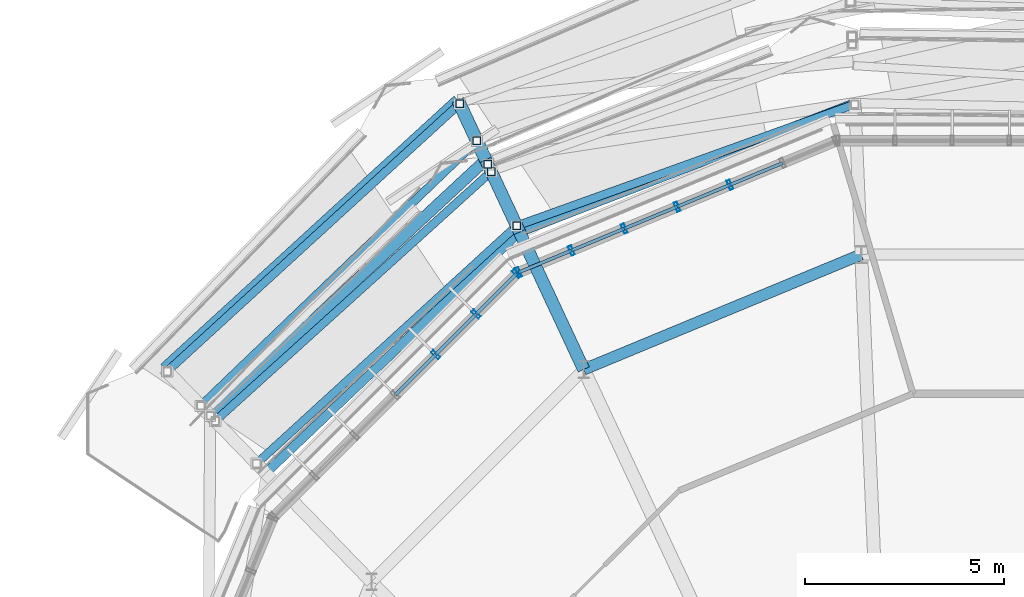
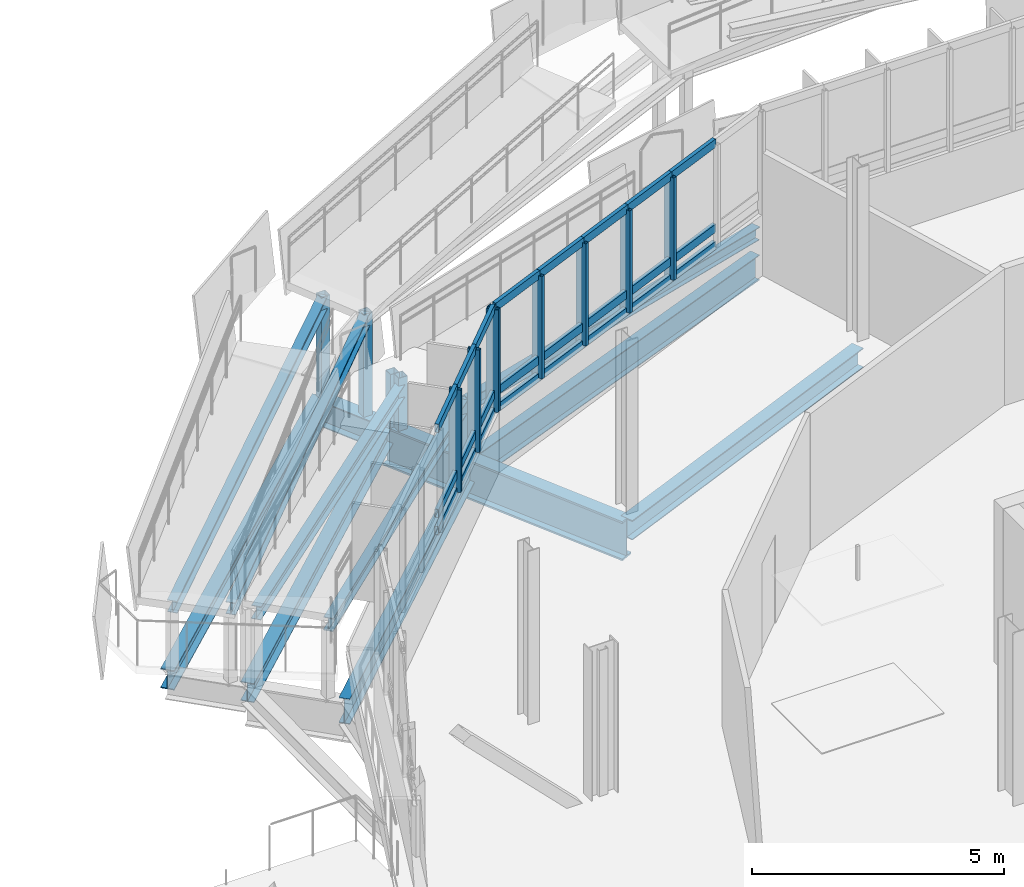
# One storey, part 45 of 107: 37 members, 13 beams, 2 elements without a shape of their own.
"""IFC4 building model written with IfcOpenShell, lengths in metres."""

from ifc_helpers import new_model, si_unit, derived_unit, direction, frame, origin, origin_2d, place, context, subcontext, project, spatial, hollow_rectangle, i_section, extrude, material, layer, layer_set, material_profile, profile_set, type_object, element, aggregate, save


model = new_model("IFC4")

# Units and contexts
model_context = context("Model", 3, precision=1e-05, world=origin(), true_north=direction((0.0, 1.0)))
body_context = subcontext(model_context, "Body", "Model", "MODEL_VIEW")
ifc_project = project(units=[si_unit("LENGTHUNIT", "METRE"), si_unit("AREAUNIT", "SQUARE_METRE"), si_unit("VOLUMEUNIT", "CUBIC_METRE"), si_unit("PLANEANGLEUNIT", "RADIAN"), si_unit("MASSUNIT", "GRAM", prefix="KILO"), derived_unit("THERMALTRANSMITTANCEUNIT", [(si_unit("MASSUNIT", "GRAM", prefix="KILO"), 1), (si_unit("TIMEUNIT", "SECOND"), -3), (si_unit("THERMODYNAMICTEMPERATUREUNIT", "KELVIN"), -1)])], contexts=[model_context])

# Site, building, storey
site_placement = place(None, origin())
site = spatial("IfcSite", under=ifc_project, at=site_placement, CompositionType="ELEMENT")
building_placement = place(site_placement, origin())
building = spatial("IfcBuilding", under=site, at=building_placement, Name="Makaiwela Harbour Ferry Terminal", CompositionType="ELEMENT")
storey_placement = place(building_placement, frame((0.0, 0.0, 9.60009765625)))
storey = spatial("IfcBuildingStorey", under=building, at=storey_placement, Name="L02", CompositionType="ELEMENT", Elevation=9.60009765625)

# Curtain wall, members
ifc_material_1 = material(Name="Marine anodised aluminium 6063-T6", Category="aluminium")
ifc_layer = layer(ifc_material_1, 0.199951171875)
ifc_layer_set = layer_set([ifc_layer], Name="Marine anodised aluminium 6063-T6")
curtain_wall_type = type_object("IfcCurtainWallType", Name="ENV-CW-04", PredefinedType="USERDEFINED", material=ifc_layer_set)
curtain_wall_1_placement = place(storey_placement, origin())
curtain_wall_1 = element("IfcCurtainWall", 1, at=curtain_wall_1_placement, inside=storey, type_object=curtain_wall_type, Name="Unitised Curtain Wall CWA-022", ObjectType="UNITIZED CURTAIN WALL", PredefinedType="USERDEFINED")
ifc_material_profile_1 = material_profile(ifc_material_1, hollow_rectangle(XDim=0.0849609375, YDim=0.25, WallThickness=0.0048828125, at=origin_2d()), Name="CWM-250X85")
ifc_profile_set_1 = profile_set([ifc_material_profile_1], Name="Marine anodised aluminium 6063-T6")
member_type_1 = type_object("IfcMemberType", Name="CW-MUL-250", PredefinedType="MULLION", material=ifc_profile_set_1)
member_1_placement = place(storey_placement, frame((30.042236328125, 88.774658203125, 1.47998046875), z_axis=(0.0, 0.0, 1.0), x_axis=(0.923879532511, 0.382683432365, 0.0)))
member_1 = element("IfcMember", 2, at=member_1_placement, type_object=member_type_1, Name="Curtain Wall Mullion CWA-022-3", PredefinedType="MULLION", context=body_context, shape_type="SweptSolid", body=[
    extrude(hollow_rectangle(XDim=0.0849609375, YDim=0.25, WallThickness=0.0048828125, at=origin_2d()), origin(), (0.0, 0.0, 1.0), 2.47998046875),
])
member_2_placement = place(storey_placement, frame((28.717529296875, 88.22607421875, 1.47998046875), z_axis=(0.0, 0.0, 1.0), x_axis=(0.923879532511, 0.382683432365, 0.0)))
member_2 = element("IfcMember", 3, at=member_2_placement, type_object=member_type_1, Name="Curtain Wall Mullion CWA-022-4", PredefinedType="MULLION", context=body_context, shape_type="SweptSolid", body=[
    extrude(hollow_rectangle(XDim=0.0849609375, YDim=0.25, WallThickness=0.0048828125, at=origin_2d()), origin(), (0.0, 0.0, 1.0), 2.47998046875),
])
member_3_placement = place(storey_placement, frame((27.39306640625, 87.677490234375, 1.47998046875), z_axis=(0.0, 0.0, 1.0), x_axis=(0.923879532511, 0.382683432365, 0.0)))
member_3 = element("IfcMember", 4, at=member_3_placement, type_object=member_type_1, Name="Curtain Wall Mullion CWA-022-5", PredefinedType="MULLION", context=body_context, shape_type="SweptSolid", body=[
    extrude(hollow_rectangle(XDim=0.0849609375, YDim=0.25, WallThickness=0.0048828125, at=origin_2d()), origin(), (0.0, 0.0, 1.0), 2.47998046875),
])
member_4_placement = place(storey_placement, frame((26.068603515625, 87.128662109375, 1.47998046875), z_axis=(0.0, 0.0, 1.0), x_axis=(0.923879532511, 0.382683432365, 0.0)))
member_4 = element("IfcMember", 5, at=member_4_placement, type_object=member_type_1, Name="Curtain Wall Mullion CWA-022-6", PredefinedType="MULLION", context=body_context, shape_type="SweptSolid", body=[
    extrude(hollow_rectangle(XDim=0.0849609375, YDim=0.25, WallThickness=0.0048828125, at=origin_2d()), origin(), (0.0, 0.0, 1.0), 2.47998046875),
])
member_5_placement = place(storey_placement, frame((24.743896484375, 86.580078125, 1.47998046875), z_axis=(0.0, 0.0, 1.0), x_axis=(0.923879532511, 0.382683432365, 0.0)))
member_5 = element("IfcMember", 6, at=member_5_placement, type_object=member_type_1, Name="Curtain Wall Mullion CWA-022-7", PredefinedType="MULLION", context=body_context, shape_type="SweptSolid", body=[
    extrude(hollow_rectangle(XDim=0.0849609375, YDim=0.25, WallThickness=0.0048828125, at=origin_2d()), origin(), (0.0, 0.0, 1.0), 2.47998046875),
])

curtain_wall_2_placement = place(storey_placement, origin())
curtain_wall_2 = element("IfcCurtainWall", 7, at=curtain_wall_2_placement, inside=storey, type_object=curtain_wall_type, Name="Unitised Curtain Wall CWA-023", ObjectType="UNITIZED CURTAIN WALL", PredefinedType="USERDEFINED")
member_6_placement = place(storey_placement, frame((24.695068359375, 86.54736328125, 1.47998046875), z_axis=(0.0, 0.0, 1.0), x_axis=(0.707106781187, 0.707106781187, 0.0)))
member_6 = element("IfcMember", 8, at=member_6_placement, type_object=member_type_1, Name="Curtain Wall Mullion CWA-023-1", PredefinedType="MULLION", context=body_context, shape_type="SweptSolid", body=[
    extrude(hollow_rectangle(XDim=0.0849609375, YDim=0.25, WallThickness=0.0048828125, at=origin_2d()), origin(), (0.0, 0.0, 1.0), 2.47998046875),
])
member_7_placement = place(storey_placement, frame((23.681396484375, 85.53369140625, 1.47998046875), z_axis=(0.0, 0.0, 1.0), x_axis=(0.707106781187, 0.707106781187, 0.0)))
member_7 = element("IfcMember", 9, at=member_7_placement, type_object=member_type_1, Name="Curtain Wall Mullion CWA-023-2", PredefinedType="MULLION", context=body_context, shape_type="SweptSolid", body=[
    extrude(hollow_rectangle(XDim=0.0849609375, YDim=0.25, WallThickness=0.0048828125, at=origin_2d()), origin(), (0.0, 0.0, 1.0), 2.47998046875),
])
member_8_placement = place(storey_placement, frame((22.66748046875, 84.52001953125, 1.47998046875), z_axis=(0.0, 0.0, 1.0), x_axis=(0.707106781187, 0.707106781187, 0.0)))
member_8 = element("IfcMember", 10, at=member_8_placement, type_object=member_type_1, Name="Curtain Wall Mullion CWA-023-3", PredefinedType="MULLION", context=body_context, shape_type="SweptSolid", body=[
    extrude(hollow_rectangle(XDim=0.0849609375, YDim=0.25, WallThickness=0.0048828125, at=origin_2d()), origin(), (0.0, 0.0, 1.0), 2.47998046875),
])

# Member
ifc_material_profile_2 = material_profile(ifc_material_1, hollow_rectangle(XDim=0.0849609375, YDim=0.199951171875, WallThickness=0.0048828125, at=origin_2d()), Name="CWT-200X85")
ifc_profile_set_2 = profile_set([ifc_material_profile_2], Name="Marine anodised aluminium 6063-T6")
member_type_2 = type_object("IfcMemberType", Name="CW-TRN-200", PredefinedType="USERDEFINED", material=ifc_profile_set_2)
member_9_placement = place(storey_placement, frame((31.36669921875, 89.3232421875, 1.47998046875), z_axis=(-0.923886069806, -0.382667649558, 0.0), x_axis=(0.382667649558, -0.923886069806, 0.0)))
member_9 = element("IfcMember", 11, at=member_9_placement, type_object=member_type_2, Name="Curtain Wall Transom CWA-022-2-1", ObjectType="TRANSOM", PredefinedType="USERDEFINED", context=body_context, shape_type="SweptSolid", body=[
    extrude(hollow_rectangle(XDim=0.0849609375, YDim=0.199951171875, WallThickness=0.0048828125, at=origin_2d()), origin(), (0.0, 0.0, 1.0), 1.43359375),
])

member_10_placement = place(storey_placement, frame((31.36669921875, 89.3232421875, 1.89990234375), z_axis=(-0.923886069806, -0.382667649558, 0.0), x_axis=(0.382667649558, -0.923886069806, 0.0)))
member_10 = element("IfcMember", 12, at=member_10_placement, type_object=member_type_2, Name="Curtain Wall Transom CWA-022-2-2", ObjectType="TRANSOM", PredefinedType="USERDEFINED", context=body_context, shape_type="SweptSolid", body=[
    extrude(hollow_rectangle(XDim=0.0849609375, YDim=0.199951171875, WallThickness=0.0048828125, at=origin_2d()), origin(), (0.0, 0.0, 1.0), 1.43359375),
])

member_11_placement = place(storey_placement, frame((31.36669921875, 89.3232421875, 3.9599609375), z_axis=(-0.923886069806, -0.382667649558, 0.0), x_axis=(0.382667649558, -0.923886069806, 0.0)))
member_11 = element("IfcMember", 13, at=member_11_placement, type_object=member_type_2, Name="Curtain Wall Transom CWA-022-2-3", ObjectType="TRANSOM", PredefinedType="USERDEFINED", context=body_context, shape_type="SweptSolid", body=[
    extrude(hollow_rectangle(XDim=0.0849609375, YDim=0.199951171875, WallThickness=0.0048828125, at=origin_2d()), origin(), (0.0, 0.0, 1.0), 1.43359375),
])

member_12_placement = place(storey_placement, frame((30.042236328125, 88.774658203125, 1.47998046875), z_axis=(-0.923911001953, -0.382607449574, 0.0), x_axis=(0.382607449574, -0.923911001953, 0.0)))
member_12 = element("IfcMember", 14, at=member_12_placement, type_object=member_type_2, Name="Curtain Wall Transom CWA-022-3-1", ObjectType="TRANSOM", PredefinedType="USERDEFINED", context=body_context, shape_type="SweptSolid", body=[
    extrude(hollow_rectangle(XDim=0.0849609375, YDim=0.199951171875, WallThickness=0.0048828125, at=origin_2d()), origin(), (0.0, 0.0, 1.0), 1.433837890625),
])

member_13_placement = place(storey_placement, frame((30.042236328125, 88.774658203125, 1.89990234375), z_axis=(-0.923911001953, -0.382607449574, 0.0), x_axis=(0.382607449574, -0.923911001953, 0.0)))
member_13 = element("IfcMember", 15, at=member_13_placement, type_object=member_type_2, Name="Curtain Wall Transom CWA-022-3-2", ObjectType="TRANSOM", PredefinedType="USERDEFINED", context=body_context, shape_type="SweptSolid", body=[
    extrude(hollow_rectangle(XDim=0.0849609375, YDim=0.199951171875, WallThickness=0.0048828125, at=origin_2d()), origin(), (0.0, 0.0, 1.0), 1.433837890625),
])

member_14_placement = place(storey_placement, frame((30.042236328125, 88.774658203125, 3.9599609375), z_axis=(-0.923911001953, -0.382607449574, 0.0), x_axis=(0.382607449574, -0.923911001953, 0.0)))
member_14 = element("IfcMember", 16, at=member_14_placement, type_object=member_type_2, Name="Curtain Wall Transom CWA-022-3-3", ObjectType="TRANSOM", PredefinedType="USERDEFINED", context=body_context, shape_type="SweptSolid", body=[
    extrude(hollow_rectangle(XDim=0.0849609375, YDim=0.199951171875, WallThickness=0.0048828125, at=origin_2d()), origin(), (0.0, 0.0, 1.0), 1.433837890625),
])

member_15_placement = place(storey_placement, frame((28.717529296875, 88.22607421875, 1.47998046875), z_axis=(-0.923886069806, -0.382667649558, 0.0), x_axis=(0.382667649558, -0.923886069806, 0.0)))
member_15 = element("IfcMember", 17, at=member_15_placement, type_object=member_type_2, Name="Curtain Wall Transom CWA-022-4-1", ObjectType="TRANSOM", PredefinedType="USERDEFINED", context=body_context, shape_type="SweptSolid", body=[
    extrude(hollow_rectangle(XDim=0.0849609375, YDim=0.199951171875, WallThickness=0.0048828125, at=origin_2d()), origin(), (0.0, 0.0, 1.0), 1.43359375),
])

member_16_placement = place(storey_placement, frame((28.717529296875, 88.22607421875, 1.89990234375), z_axis=(-0.923886069806, -0.382667649558, 0.0), x_axis=(0.382667649558, -0.923886069806, 0.0)))
member_16 = element("IfcMember", 18, at=member_16_placement, type_object=member_type_2, Name="Curtain Wall Transom CWA-022-4-2", ObjectType="TRANSOM", PredefinedType="USERDEFINED", context=body_context, shape_type="SweptSolid", body=[
    extrude(hollow_rectangle(XDim=0.0849609375, YDim=0.199951171875, WallThickness=0.0048828125, at=origin_2d()), origin(), (0.0, 0.0, 1.0), 1.43359375),
])

member_17_placement = place(storey_placement, frame((28.717529296875, 88.22607421875, 3.9599609375), z_axis=(-0.923886069806, -0.382667649558, 0.0), x_axis=(0.382667649558, -0.923886069806, 0.0)))
member_17 = element("IfcMember", 19, at=member_17_placement, type_object=member_type_2, Name="Curtain Wall Transom CWA-022-4-3", ObjectType="TRANSOM", PredefinedType="USERDEFINED", context=body_context, shape_type="SweptSolid", body=[
    extrude(hollow_rectangle(XDim=0.0849609375, YDim=0.199951171875, WallThickness=0.0048828125, at=origin_2d()), origin(), (0.0, 0.0, 1.0), 1.43359375),
])

member_18_placement = place(storey_placement, frame((27.39306640625, 87.677490234375, 1.47998046875), z_axis=(-0.923825853652, -0.382812998896, 0.0), x_axis=(0.382812998896, -0.923825853652, 0.0)))
member_18 = element("IfcMember", 20, at=member_18_placement, type_object=member_type_2, Name="Curtain Wall Transom CWA-022-5-1", ObjectType="TRANSOM", PredefinedType="USERDEFINED", context=body_context, shape_type="SweptSolid", body=[
    extrude(hollow_rectangle(XDim=0.0849609375, YDim=0.199951171875, WallThickness=0.0048828125, at=origin_2d()), origin(), (0.0, 0.0, 1.0), 1.43359375),
])

member_19_placement = place(storey_placement, frame((27.39306640625, 87.677490234375, 1.89990234375), z_axis=(-0.923825853652, -0.382812998896, 0.0), x_axis=(0.382812998896, -0.923825853652, 0.0)))
member_19 = element("IfcMember", 21, at=member_19_placement, type_object=member_type_2, Name="Curtain Wall Transom CWA-022-5-2", ObjectType="TRANSOM", PredefinedType="USERDEFINED", context=body_context, shape_type="SweptSolid", body=[
    extrude(hollow_rectangle(XDim=0.0849609375, YDim=0.199951171875, WallThickness=0.0048828125, at=origin_2d()), origin(), (0.0, 0.0, 1.0), 1.43359375),
])

member_20_placement = place(storey_placement, frame((27.39306640625, 87.677490234375, 3.9599609375), z_axis=(-0.923825853652, -0.382812998896, 0.0), x_axis=(0.382812998896, -0.923825853652, 0.0)))
member_20 = element("IfcMember", 22, at=member_20_placement, type_object=member_type_2, Name="Curtain Wall Transom CWA-022-5-3", ObjectType="TRANSOM", PredefinedType="USERDEFINED", context=body_context, shape_type="SweptSolid", body=[
    extrude(hollow_rectangle(XDim=0.0849609375, YDim=0.199951171875, WallThickness=0.0048828125, at=origin_2d()), origin(), (0.0, 0.0, 1.0), 1.43359375),
])

member_21_placement = place(storey_placement, frame((26.068603515625, 87.128662109375, 1.47998046875), z_axis=(-0.923911001953, -0.382607449574, 0.0), x_axis=(0.382607449574, -0.923911001953, 0.0)))
member_21 = element("IfcMember", 23, at=member_21_placement, type_object=member_type_2, Name="Curtain Wall Transom CWA-022-6-1", ObjectType="TRANSOM", PredefinedType="USERDEFINED", context=body_context, shape_type="SweptSolid", body=[
    extrude(hollow_rectangle(XDim=0.0849609375, YDim=0.199951171875, WallThickness=0.0048828125, at=origin_2d()), origin(), (0.0, 0.0, 1.0), 1.433837890625),
])

member_22_placement = place(storey_placement, frame((26.068603515625, 87.128662109375, 1.89990234375), z_axis=(-0.923911001953, -0.382607449574, 0.0), x_axis=(0.382607449574, -0.923911001953, 0.0)))
member_22 = element("IfcMember", 24, at=member_22_placement, type_object=member_type_2, Name="Curtain Wall Transom CWA-022-6-2", ObjectType="TRANSOM", PredefinedType="USERDEFINED", context=body_context, shape_type="SweptSolid", body=[
    extrude(hollow_rectangle(XDim=0.0849609375, YDim=0.199951171875, WallThickness=0.0048828125, at=origin_2d()), origin(), (0.0, 0.0, 1.0), 1.433837890625),
])

member_23_placement = place(storey_placement, frame((26.068603515625, 87.128662109375, 3.9599609375), z_axis=(-0.923911001953, -0.382607449574, 0.0), x_axis=(0.382607449574, -0.923911001953, 0.0)))
member_23 = element("IfcMember", 25, at=member_23_placement, type_object=member_type_2, Name="Curtain Wall Transom CWA-022-6-3", ObjectType="TRANSOM", PredefinedType="USERDEFINED", context=body_context, shape_type="SweptSolid", body=[
    extrude(hollow_rectangle(XDim=0.0849609375, YDim=0.199951171875, WallThickness=0.0048828125, at=origin_2d()), origin(), (0.0, 0.0, 1.0), 1.433837890625),
])

aggregate(curtain_wall_1, [member_1, member_2, member_3, member_4, member_5, member_9, member_10, member_11, member_12, member_13, member_14, member_15, member_16, member_17, member_18, member_19, member_20, member_21, member_22, member_23])

member_24_placement = place(storey_placement, frame((24.695068359375, 86.54736328125, 1.47998046875), z_axis=(-0.707106781187, -0.707106781187, 0.0), x_axis=(0.707106781187, -0.707106781187, 0.0)))
member_24 = element("IfcMember", 26, at=member_24_placement, type_object=member_type_2, Name="Curtain Wall Transom CWA-023-1-1", ObjectType="TRANSOM", PredefinedType="USERDEFINED", context=body_context, shape_type="SweptSolid", body=[
    extrude(hollow_rectangle(XDim=0.0849609375, YDim=0.199951171875, WallThickness=0.0048828125, at=origin_2d()), origin(), (0.0, 0.0, 1.0), 1.43359375),
])

member_25_placement = place(storey_placement, frame((24.695068359375, 86.54736328125, 1.89990234375), z_axis=(-0.707106781187, -0.707106781187, 0.0), x_axis=(0.707106781187, -0.707106781187, 0.0)))
member_25 = element("IfcMember", 27, at=member_25_placement, type_object=member_type_2, Name="Curtain Wall Transom CWA-023-1-2", ObjectType="TRANSOM", PredefinedType="USERDEFINED", context=body_context, shape_type="SweptSolid", body=[
    extrude(hollow_rectangle(XDim=0.0849609375, YDim=0.199951171875, WallThickness=0.0048828125, at=origin_2d()), origin(), (0.0, 0.0, 1.0), 1.43359375),
])

member_26_placement = place(storey_placement, frame((24.695068359375, 86.54736328125, 3.9599609375), z_axis=(-0.707106781187, -0.707106781187, 0.0), x_axis=(0.707106781187, -0.707106781187, 0.0)))
member_26 = element("IfcMember", 28, at=member_26_placement, type_object=member_type_2, Name="Curtain Wall Transom CWA-023-1-3", ObjectType="TRANSOM", PredefinedType="USERDEFINED", context=body_context, shape_type="SweptSolid", body=[
    extrude(hollow_rectangle(XDim=0.0849609375, YDim=0.199951171875, WallThickness=0.0048828125, at=origin_2d()), origin(), (0.0, 0.0, 1.0), 1.43359375),
])

member_27_placement = place(storey_placement, frame((23.681396484375, 85.53369140625, 1.47998046875), z_axis=(-0.707191918358, -0.707021633764, 0.0), x_axis=(0.707021633764, -0.707191918358, 0.0)))
member_27 = element("IfcMember", 29, at=member_27_placement, type_object=member_type_2, Name="Curtain Wall Transom CWA-023-2-1", ObjectType="TRANSOM", PredefinedType="USERDEFINED", context=body_context, shape_type="SweptSolid", body=[
    extrude(hollow_rectangle(XDim=0.0849609375, YDim=0.199951171875, WallThickness=0.0048828125, at=origin_2d()), origin(), (0.0, 0.0, 1.0), 1.433837890625),
])

member_28_placement = place(storey_placement, frame((23.681396484375, 85.53369140625, 1.89990234375), z_axis=(-0.707191918358, -0.707021633764, 0.0), x_axis=(0.707021633764, -0.707191918358, 0.0)))
member_28 = element("IfcMember", 30, at=member_28_placement, type_object=member_type_2, Name="Curtain Wall Transom CWA-023-2-2", ObjectType="TRANSOM", PredefinedType="USERDEFINED", context=body_context, shape_type="SweptSolid", body=[
    extrude(hollow_rectangle(XDim=0.0849609375, YDim=0.199951171875, WallThickness=0.0048828125, at=origin_2d()), origin(), (0.0, 0.0, 1.0), 1.433837890625),
])

member_29_placement = place(storey_placement, frame((23.681396484375, 85.53369140625, 3.9599609375), z_axis=(-0.707191918358, -0.707021633764, 0.0), x_axis=(0.707021633764, -0.707191918358, 0.0)))
member_29 = element("IfcMember", 31, at=member_29_placement, type_object=member_type_2, Name="Curtain Wall Transom CWA-023-2-3", ObjectType="TRANSOM", PredefinedType="USERDEFINED", context=body_context, shape_type="SweptSolid", body=[
    extrude(hollow_rectangle(XDim=0.0849609375, YDim=0.199951171875, WallThickness=0.0048828125, at=origin_2d()), origin(), (0.0, 0.0, 1.0), 1.433837890625),
])

member_30_placement = place(storey_placement, frame((22.66748046875, 84.52001953125, 1.47998046875), z_axis=(-0.707021633764, -0.707191918358, 0.0), x_axis=(0.707191918358, -0.707021633764, 0.0)))
member_30 = element("IfcMember", 32, at=member_30_placement, type_object=member_type_2, Name="Curtain Wall Transom CWA-023-3-1", ObjectType="TRANSOM", PredefinedType="USERDEFINED", context=body_context, shape_type="SweptSolid", body=[
    extrude(hollow_rectangle(XDim=0.0849609375, YDim=0.199951171875, WallThickness=0.0048828125, at=origin_2d()), origin(), (0.0, 0.0, 1.0), 1.433837890625),
])

member_31_placement = place(storey_placement, frame((22.66748046875, 84.52001953125, 1.89990234375), z_axis=(-0.707021633764, -0.707191918358, 0.0), x_axis=(0.707191918358, -0.707021633764, 0.0)))
member_31 = element("IfcMember", 33, at=member_31_placement, type_object=member_type_2, Name="Curtain Wall Transom CWA-023-3-2", ObjectType="TRANSOM", PredefinedType="USERDEFINED", context=body_context, shape_type="SweptSolid", body=[
    extrude(hollow_rectangle(XDim=0.0849609375, YDim=0.199951171875, WallThickness=0.0048828125, at=origin_2d()), origin(), (0.0, 0.0, 1.0), 1.433837890625),
])

member_32_placement = place(storey_placement, frame((22.66748046875, 84.52001953125, 3.9599609375), z_axis=(-0.707021633764, -0.707191918358, 0.0), x_axis=(0.707191918358, -0.707021633764, 0.0)))
member_32 = element("IfcMember", 34, at=member_32_placement, type_object=member_type_2, Name="Curtain Wall Transom CWA-023-3-3", ObjectType="TRANSOM", PredefinedType="USERDEFINED", context=body_context, shape_type="SweptSolid", body=[
    extrude(hollow_rectangle(XDim=0.0849609375, YDim=0.199951171875, WallThickness=0.0048828125, at=origin_2d()), origin(), (0.0, 0.0, 1.0), 1.433837890625),
])

aggregate(curtain_wall_2, [member_6, member_7, member_8, member_24, member_25, member_26, member_27, member_28, member_29, member_30, member_31, member_32])

# Beams
ifc_material_2 = material(Name="Steel ASTM A992 Grade 50", Category="steel")
ifc_material_profile_3 = material_profile(ifc_material_2, i_section(OverallWidth=0.280029296875, OverallDepth=0.462890625, WebThickness=0.0107421875, FlangeThickness=0.017333984375, at=origin_2d()), Name="W18X76")
ifc_profile_set_3 = profile_set([ifc_material_profile_3], Name="Steel ASTM A992 Grade 50")
beam_type_1 = type_object("IfcBeamType", Name="STR-BM-W18X76", PredefinedType="BEAM", material=ifc_profile_set_3)
beam_1_placement = place(storey_placement, frame((23.92138671875, 89.40185546875, -0.49169921875), z_axis=(-0.732663441999, -0.680591125977, 0.0), x_axis=(0.680591125977, -0.732663441999, 0.0)))
element("IfcBeam", 35, at=beam_1_placement, inside=storey, type_object=beam_type_1, Name="Drum stage2 tie girder 209", PredefinedType="BEAM", context=body_context, shape_type="SweptSolid", body=[
    extrude(i_section(OverallWidth=0.280029296875, OverallDepth=0.462890625, WebThickness=0.0107421875, FlangeThickness=0.017333984375, at=origin_2d()), origin(), (0.0, 0.0, 1.0), 9.428466796875),
])
ifc_material_profile_4 = material_profile(ifc_material_2, i_section(OverallWidth=0.324951171875, OverallDepth=0.615966796875, WebThickness=0.013916015625, FlangeThickness=0.021484375, at=origin_2d()), Name="W24X117")
ifc_profile_set_4 = profile_set([ifc_material_profile_4], Name="Steel ASTM A992 Grade 50")
beam_type_2 = type_object("IfcBeamType", Name="STR-GRD-W24X117", PredefinedType="USERDEFINED", material=ifc_profile_set_4)
beam_2_placement = place(storey_placement, frame((23.92138671875, 89.40185546875, -0.568115234375), z_axis=(-0.423379579508, 0.905952389287, 0.0), x_axis=(-0.905952389287, -0.423379579508, 0.0)))
element("IfcBeam", 36, at=beam_2_placement, inside=storey, type_object=beam_type_2, Name="Promenade terrace bracket 168", ObjectType="GIRDER", PredefinedType="USERDEFINED", context=body_context, shape_type="SweptSolid", body=[
    extrude(i_section(OverallWidth=0.324951171875, OverallDepth=0.615966796875, WebThickness=0.013916015625, FlangeThickness=0.021484375, at=origin_2d()), origin(), (0.0, 0.0, 1.0), 1.64990234375),
])
ifc_material_profile_5 = material_profile(ifc_material_2, i_section(OverallWidth=0.22900390625, OverallDepth=0.612060546875, WebThickness=0.011962890625, FlangeThickness=0.01953125, at=origin_2d()), Name="W24X84")
ifc_profile_set_5 = profile_set([ifc_material_profile_5], Name="Steel ASTM A992 Grade 50")
beam_type_3 = type_object("IfcBeamType", Name="STR-GRD-W24X84", PredefinedType="USERDEFINED", material=ifc_profile_set_5)
beam_3_placement = place(storey_placement, frame((33.173583984375, 90.82568359375, -0.566162109375), z_axis=(-0.933232382004, -0.359273323779, 0.0), x_axis=(0.359273323779, -0.933232382004, 0.0)))
element("IfcBeam", 37, at=beam_3_placement, inside=storey, type_object=beam_type_3, Name="Drum overhang tie girder 206", ObjectType="GIRDER", PredefinedType="USERDEFINED", context=body_context, shape_type="SweptSolid", body=[
    extrude(i_section(OverallWidth=0.22900390625, OverallDepth=0.612060546875, WebThickness=0.011962890625, FlangeThickness=0.01953125, at=origin_2d()), origin(), (0.0, 0.0, 1.0), 9.006591796875),
])
beam_4_placement = place(storey_placement, frame((24.768310546875, 87.58984375, -0.566162109375), z_axis=(-0.725208541856, -0.688529281018, 0.0), x_axis=(0.688529281018, -0.725208541856, 0.0)))
element("IfcBeam", 38, at=beam_4_placement, inside=storey, type_object=beam_type_3, Name="Drum overhang tie girder 208", ObjectType="GIRDER", PredefinedType="USERDEFINED", context=body_context, shape_type="SweptSolid", body=[
    extrude(i_section(OverallWidth=0.22900390625, OverallDepth=0.612060546875, WebThickness=0.011962890625, FlangeThickness=0.01953125, at=origin_2d()), origin(), (0.0, 0.0, 1.0), 8.772705078125),
])
ifc_material_profile_6 = material_profile(ifc_material_2, i_section(OverallWidth=0.31005859375, OverallDepth=0.949951171875, WebThickness=0.0244140625, FlangeThickness=0.0439453125, at=origin_2d()), Name="W36X256")
ifc_profile_set_6 = profile_set([ifc_material_profile_6], Name="Steel ASTM A992 Grade 50")
beam_type_4 = type_object("IfcBeamType", Name="STR-GRD-W36X256", PredefinedType="USERDEFINED", material=ifc_profile_set_6)
beam_5_placement = place(storey_placement, frame((26.37744140625, 84.1474609375, -0.735107421875), z_axis=(-0.423465730758, 0.905912123152, 0.0), x_axis=(-0.905912123152, -0.423465730758, 0.0)))
element("IfcBeam", 39, at=beam_5_placement, inside=storey, type_object=beam_type_4, Name="Drum radial overhang 166", ObjectType="GIRDER", PredefinedType="USERDEFINED", context=body_context, shape_type="SweptSolid", body=[
    extrude(i_section(OverallWidth=0.31005859375, OverallDepth=0.949951171875, WebThickness=0.0244140625, FlangeThickness=0.0439453125, at=origin_2d()), origin(), (0.0, 0.0, 1.0), 3.7998046875),
])
beam_6_placement = place(storey_placement, frame((24.768310546875, 87.58984375, -0.735107421875), z_axis=(-0.423426642, 0.90593039404, 0.0), x_axis=(-0.90593039404, -0.423426642, 0.0)))
element("IfcBeam", 40, at=beam_6_placement, inside=storey, type_object=beam_type_4, Name="Drum overhang radial girder 167", ObjectType="GIRDER", PredefinedType="USERDEFINED", context=body_context, shape_type="SweptSolid", body=[
    extrude(i_section(OverallWidth=0.31005859375, OverallDepth=0.949951171875, WebThickness=0.0244140625, FlangeThickness=0.0439453125, at=origin_2d()), origin(), (0.0, 0.0, 1.0), 2.000244140625),
])
ifc_material_profile_7 = material_profile(ifc_material_2, i_section(OverallWidth=0.205078125, OverallDepth=0.31005859375, WebThickness=0.009521484375, FlangeThickness=0.016357421875, at=origin_2d()), Name="W12X50")
ifc_profile_set_7 = profile_set([ifc_material_profile_7], Name="Steel ASTM A992 Grade 50")
beam_type_5 = type_object("IfcBeamType", Name="STR-LNT-W12X50", PredefinedType="LINTEL", material=ifc_profile_set_7)
beam_7_placement = place(storey_placement, frame((33.1748046875, 90.798828125, 0.27001953125), z_axis=(-0.938823174338, -0.337935256408, 0.066413927771), x_axis=(0.338683015056, -0.940900534229, 0.0)))
element("IfcBeam", 41, at=beam_7_placement, inside=storey, type_object=beam_type_5, Name="Coiled Ramp Stringer L02-FI2-IN", PredefinedType="LINTEL", context=body_context, shape_type="SweptSolid", body=[
    extrude(i_section(OverallWidth=0.205078125, OverallDepth=0.31005859375, WebThickness=0.009521484375, FlangeThickness=0.016357421875, at=origin_2d()), origin(), (0.0, 0.0, 1.0), 9.031982421875),
])
beam_8_placement = place(storey_placement, frame((24.6953125, 87.74658203125, 0.869873046875), z_axis=(-0.736480124265, -0.673054644585, 0.067782534371), x_axis=(0.674606158274, -0.73817784525, 0.0)))
element("IfcBeam", 42, at=beam_8_placement, inside=storey, type_object=beam_type_5, Name="Coiled Ramp Stringer L02-FI3-IN", PredefinedType="LINTEL", context=body_context, shape_type="SweptSolid", body=[
    extrude(i_section(OverallWidth=0.205078125, OverallDepth=0.31005859375, WebThickness=0.009521484375, FlangeThickness=0.016357421875, at=origin_2d()), origin(), (0.0, 0.0, 1.0), 8.853271484375),
])
beam_9_placement = place(storey_placement, frame((24.05859375, 89.108154296875, 0.668701171875), z_axis=(-0.739209720122, -0.668056122278, 0.085264337006), x_axis=(0.670497830196, -0.741911490477, 0.0)))
element("IfcBeam", 43, at=beam_9_placement, inside=storey, type_object=beam_type_5, Name="Coiled Ramp Stringer L02-FI3-OUT", PredefinedType="LINTEL", context=body_context, shape_type="SweptSolid", body=[
    extrude(i_section(OverallWidth=0.205078125, OverallDepth=0.31005859375, WebThickness=0.009521484375, FlangeThickness=0.016357421875, at=origin_2d()), origin(), (0.0, 0.0, 1.0), 9.3603515625),
])
beam_10_placement = place(storey_placement, frame((16.771728515625, 83.23388671875, 1.469970703125), z_axis=(0.72033767524, 0.690813350436, 0.06237426143), x_axis=(-0.692161105763, 0.721743031604, 0.0)))
element("IfcBeam", 44, at=beam_10_placement, inside=storey, type_object=beam_type_5, Name="Coiled Ramp Stringer L02-FO1-IN", PredefinedType="LINTEL", context=body_context, shape_type="SweptSolid", body=[
    extrude(i_section(OverallWidth=0.205078125, OverallDepth=0.31005859375, WebThickness=0.009521484375, FlangeThickness=0.016357421875, at=origin_2d()), origin(), (0.0, 0.0, 1.0), 9.616943359375),
])
beam_11_placement = place(storey_placement, frame((15.933837890625, 84.09716796875, 1.283447265625), z_axis=(0.735454179574, 0.673000945769, 0.078593108737), x_axis=(-0.675089146628, 0.737736161581, 0.0)))
element("IfcBeam", 45, at=beam_11_placement, inside=storey, type_object=beam_type_5, Name="Coiled Ramp Stringer L02-FO1-OUT", PredefinedType="LINTEL", context=body_context, shape_type="SweptSolid", body=[
    extrude(i_section(OverallWidth=0.205078125, OverallDepth=0.31005859375, WebThickness=0.009521484375, FlangeThickness=0.016357421875, at=origin_2d()), origin(), (0.0, 0.0, 1.0), 9.968505859375),
])

# Members
ifc_material_3 = material(Name="Steel ASTM A500 Grade C", Category="steel")
ifc_material_profile_8 = material_profile(ifc_material_3, hollow_rectangle(XDim=0.202880859375, YDim=0.202880859375, WallThickness=0.01171875, at=origin_2d()), Name="HSS8X8X1/2")
ifc_profile_set_8 = profile_set([ifc_material_profile_8], Name="Steel ASTM A500 Grade C")
member_type_3 = type_object("IfcMemberType", Name="STR-PST-HSS8", PredefinedType="POST", material=ifc_profile_set_8)
member_33_placement = place(storey_placement, frame((23.26513671875, 90.805908203125, -0.280029296875), z_axis=(0.0, 0.0, 1.0), x_axis=(1.0, 0.0, 0.0)))
element("IfcMember", 46, at=member_33_placement, inside=storey, type_object=member_type_3, Name="Exterior Ramp Support Post RP-0038", PredefinedType="POST", context=body_context, shape_type="SweptSolid", body=[
    extrude(hollow_rectangle(XDim=0.202880859375, YDim=0.202880859375, WallThickness=0.01171875, at=origin_2d()), origin(), (0.0, 0.0, 1.0), 2.510009765625),
])
member_34_placement = place(storey_placement, frame((23.69921875, 89.87744140625, -0.280029296875), z_axis=(0.0, 0.0, 1.0), x_axis=(1.0, 0.0, 0.0)))
element("IfcMember", 47, at=member_34_placement, inside=storey, type_object=member_type_3, Name="Exterior Ramp Support Post RP-0042", PredefinedType="POST", context=body_context, shape_type="SweptSolid", body=[
    extrude(hollow_rectangle(XDim=0.202880859375, YDim=0.202880859375, WallThickness=0.01171875, at=origin_2d()), origin(), (0.0, 0.0, 1.0), 2.5048828125),
])
member_35_placement = place(storey_placement, frame((23.974853515625, 89.28759765625, -0.280029296875), z_axis=(0.0, 0.0, 1.0), x_axis=(1.0, 0.0, 0.0)))
element("IfcMember", 48, at=member_35_placement, inside=storey, type_object=member_type_3, Name="Exterior Ramp Support Post RP-0045", PredefinedType="POST", context=body_context, shape_type="SweptSolid", body=[
    extrude(hollow_rectangle(XDim=0.202880859375, YDim=0.202880859375, WallThickness=0.01171875, at=origin_2d()), origin(), (0.0, 0.0, 1.0), 1.309814453125),
])
member_36_placement = place(storey_placement, frame((24.05859375, 89.108154296875, -0.280029296875), z_axis=(0.0, 0.0, 1.0), x_axis=(1.0, 0.0, 0.0)))
element("IfcMember", 49, at=member_36_placement, inside=storey, type_object=member_type_3, Name="Exterior Ramp Support Post RP-0046", PredefinedType="POST", context=body_context, shape_type="SweptSolid", body=[
    extrude(hollow_rectangle(XDim=0.202880859375, YDim=0.202880859375, WallThickness=0.01171875, at=origin_2d()), origin(), (0.0, 0.0, 1.0), 1.302001953125),
])
member_37_placement = place(storey_placement, frame((24.6953125, 87.74658203125, -0.280029296875), z_axis=(0.0, 0.0, 1.0), x_axis=(1.0, 0.0, 0.0)))
element("IfcMember", 50, at=member_37_placement, inside=storey, type_object=member_type_3, Name="Exterior Ramp Support Post RP-0050", PredefinedType="POST", context=body_context, shape_type="SweptSolid", body=[
    extrude(hollow_rectangle(XDim=0.202880859375, YDim=0.202880859375, WallThickness=0.01171875, at=origin_2d()), origin(), (0.0, 0.0, 1.0), 1.304931640625),
])

# Beams
ifc_material_profile_9 = material_profile(ifc_material_2, i_section(OverallWidth=0.283935546875, OverallDepth=0.47607421875, WebThickness=0.014892578125, FlangeThickness=0.02392578125, at=origin_2d()), Name="W18X106")
ifc_profile_set_9 = profile_set([ifc_material_profile_9], Name="Steel ASTM A992 Grade 50")
beam_type_6 = type_object("IfcBeamType", Name="STR-SPN-W18X106", PredefinedType="SPANDREL", material=ifc_profile_set_9)
beam_12_placement = place(storey_placement, frame((33.334716796875, 87.029296875, -0.498046875), z_axis=(-0.923877743092, -0.382687752376, 0.0), x_axis=(0.382687752376, -0.923877743092, 0.0)))
element("IfcBeam", 51, at=beam_12_placement, inside=storey, type_object=beam_type_6, Name="Drum column ring girder 136", PredefinedType="SPANDREL", context=body_context, shape_type="SweptSolid", body=[
    extrude(i_section(OverallWidth=0.283935546875, OverallDepth=0.47607421875, WebThickness=0.014892578125, FlangeThickness=0.02392578125, at=origin_2d()), origin(), (0.0, 0.0, 1.0), 7.530517578125),
])
beam_13_placement = place(storey_placement, frame((23.222900390625, 90.896484375, -0.498046875), z_axis=(-0.738046928899, -0.674749383655, 0.0), x_axis=(0.674749383655, -0.738046928899, 0.0)))
element("IfcBeam", 52, at=beam_13_placement, inside=storey, type_object=beam_type_6, Name="Drum perimeter spandrel 228", PredefinedType="SPANDREL", context=body_context, shape_type="SweptSolid", body=[
    extrude(i_section(OverallWidth=0.283935546875, OverallDepth=0.47607421875, WebThickness=0.014892578125, FlangeThickness=0.02392578125, at=origin_2d()), origin(), (0.0, 0.0, 1.0), 9.970458984375),
])

save(model, "model.ifc")
